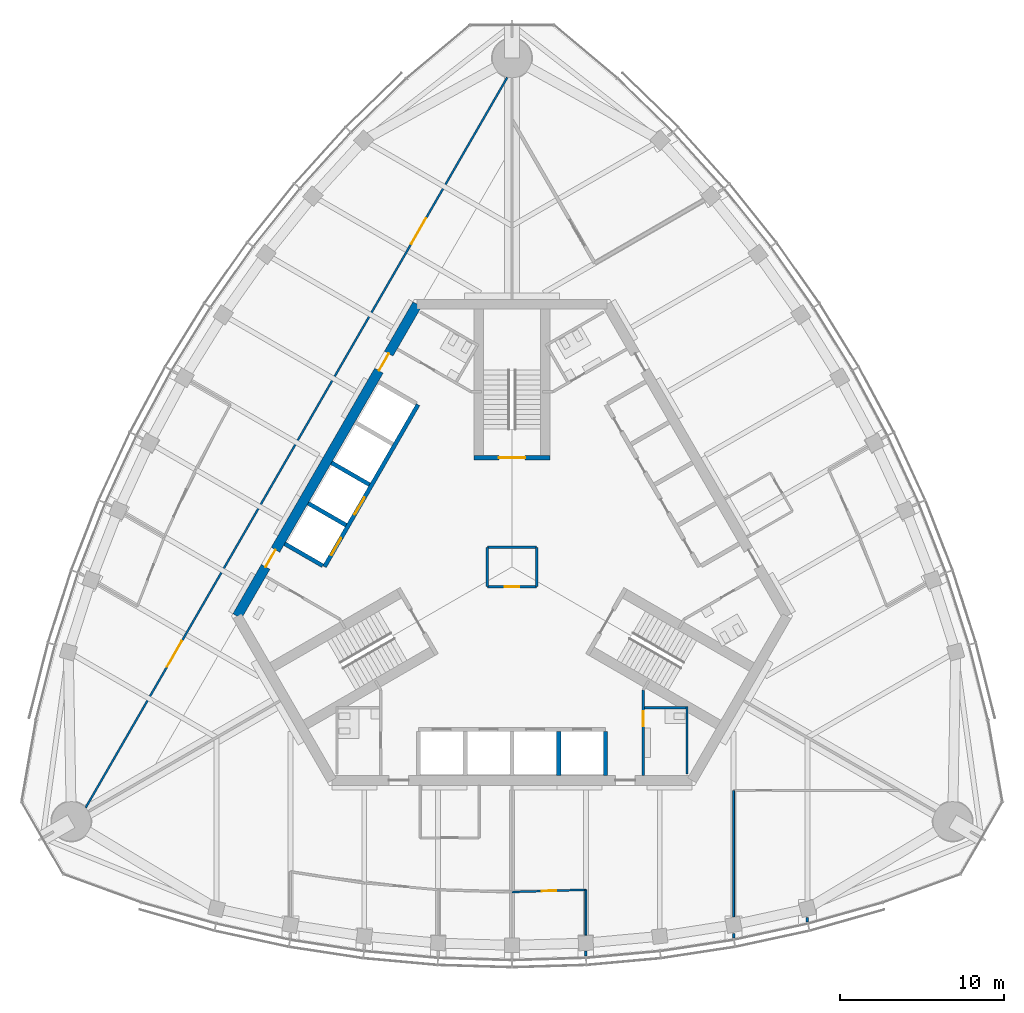
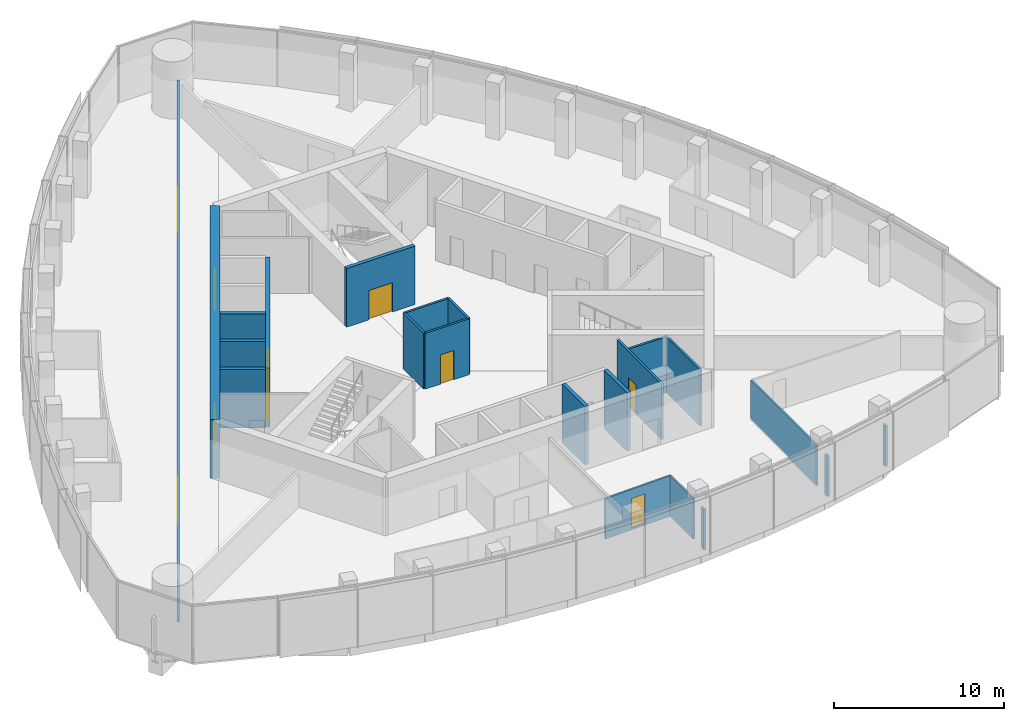
# One storey, part 9 of 16: 22 walls, 10 doors, 10 openings.
"""IFC4 building model written with IfcOpenShell, lengths in metres."""

from ifc_helpers import new_model, si_unit, direction, frame, frame_2d, origin, place, context, subcontext, project, spatial, rectangle, extrude, material, layer, layer_set, type_object, element, fill, save


model = new_model("IFC4")

# Units and contexts
model_context = context("Model", 3, precision=1e-05, world=origin(), true_north=direction((0.0, 1.0)))
body_context = subcontext(model_context, "Body", "Model", "MODEL_VIEW")
ifc_project = project(units=[si_unit("LENGTHUNIT", "METRE"), si_unit("AREAUNIT", "SQUARE_METRE"), si_unit("VOLUMEUNIT", "CUBIC_METRE"), si_unit("PLANEANGLEUNIT", "RADIAN"), si_unit("MASSUNIT", "GRAM", prefix="KILO")], contexts=[model_context])

# Site, building, storey
site_placement = place(None, origin())
site = spatial("IfcSite", under=ifc_project, at=site_placement, CompositionType="ELEMENT")
building_placement = place(site_placement, origin())
building = spatial("IfcBuilding", under=site, at=building_placement, Name="Trefoil Bronze Tower", CompositionType="ELEMENT")
storey_placement = place(building_placement, frame((0.0, 0.0, 309.89990234375)))
storey = spatial("IfcBuildingStorey", under=building, at=storey_placement, Name="L71", CompositionType="ELEMENT", Elevation=309.89990234375)

# Wall, openings, doors
ifc_material_1 = material(Name="Concrete B80", Category="concrete")
ifc_layer_1 = layer(ifc_material_1, 0.60009765625)
ifc_layer_set_1 = layer_set([ifc_layer_1], Name="Core wall 600")
wall_type_1 = type_object("IfcWallType", Name="Core wall 600", PredefinedType="SHEAR", material=ifc_layer_set_1)
wall_1_placement = place(storey_placement, frame((-5.7734375, 16.0, 0.0), z_axis=(0.0, 0.0, 1.0), x_axis=(-0.500002442456, -0.866023993627, 0.0)))
wall_1 = element("IfcWall", 1, at=wall_1_placement, inside=storey, type_object=wall_type_1, Name="Core long wall 3 L71", PredefinedType="SHEAR", context=body_context, shape_type="SweptSolid", body=[
    extrude(rectangle(XDim=21.939453125, YDim=0.60009765625, at=frame_2d((10.9697265625, 0.0))), origin(), (0.0, 0.0, 1.0), 4.2001953125),
])
opening_1_placement = place(wall_1_placement, frame((17.269775390625, 0.0, 0.0)))
opening_1 = element("IfcOpeningElement", 2, at=opening_1_placement, cuts=wall_1, Name="Opening D2", PredefinedType="OPENING", context=body_context, shape_type="SweptSolid", body=[
    extrude(rectangle(XDim=1.199951171875, YDim=2.10009765625, at=frame_2d((0.60009765625, 1.050048828125))), frame((0.0, 0.31005859375, 0.0), z_axis=(0.0, -1.0, 0.0), x_axis=(1.0, 0.0, 0.0)), (0.0, 0.0, 1.0), 0.6201171875),
])
opening_2_placement = place(wall_1_placement, frame((3.4697265625, 0.0, 0.0)))
opening_2 = element("IfcOpeningElement", 3, at=opening_2_placement, cuts=wall_1, Name="Opening D2", PredefinedType="OPENING", context=body_context, shape_type="SweptSolid", body=[
    extrude(rectangle(XDim=1.199951171875, YDim=2.10009765625, at=frame_2d((0.60009765625, 1.050048828125))), frame((0.0, 0.31005859375, 0.0), z_axis=(0.0, -1.0, 0.0), x_axis=(1.0, 0.0, 0.0)), (0.0, 0.0, 1.0), 0.6201171875),
])
ifc_material_2 = material(Name="Steel door", Category="steel")
door_type_1 = type_object("IfcDoorType", Name="Lobby door 1200", OperationType="SINGLE_SWING_RIGHT", PredefinedType="DOOR", material=ifc_material_2)
door_1_placement = place(opening_1_placement, origin())
door_1 = element("IfcDoor", 4, at=door_1_placement, inside=storey, type_object=door_type_1, Name="Lobby door F3+ L71", OperationType="SINGLE_SWING_RIGHT", OverallHeight=2.10009765625, OverallWidth=1.199951171875, PredefinedType="DOOR", context=body_context, shape_type="SweptSolid", body=[
    extrude(rectangle(XDim=1.199951171875, YDim=2.10009765625, at=frame_2d((0.60009765625, 1.050048828125))), frame((0.0, 0.02490234375, 0.0), z_axis=(0.0, -1.0, 0.0), x_axis=(1.0, 0.0, 0.0)), (0.0, 0.0, 1.0), 0.050048828125),
])
fill(opening_1, door_1)
door_2_placement = place(opening_2_placement, origin())
door_2 = element("IfcDoor", 5, at=door_2_placement, inside=storey, type_object=door_type_1, Name="Lobby door F3- L71", OperationType="SINGLE_SWING_LEFT", OverallHeight=2.10009765625, OverallWidth=1.199951171875, PredefinedType="DOOR", context=body_context, shape_type="SweptSolid", body=[
    extrude(rectangle(XDim=1.199951171875, YDim=2.10009765625, at=frame_2d((0.60009765625, 1.050048828125))), frame((0.0, 0.02490234375, 0.0), z_axis=(0.0, -1.0, 0.0), x_axis=(1.0, 0.0, 0.0)), (0.0, 0.0, 1.0), 0.050048828125),
])
fill(opening_2, door_2)

# Wall, opening, door
ifc_material_3 = material(Name="Glazed partition", Category="glass")
ifc_layer_2 = layer(ifc_material_3, 0.1201171875)
ifc_layer_set_2 = layer_set([ifc_layer_2], Name="Glazed partition 120")
wall_type_2 = type_object("IfcWallType", Name="Glazed partition 120", PredefinedType="PARTITIONING", material=ifc_layer_set_2)
wall_2_placement = place(storey_placement, frame((0.0, -19.801513671875, 0.0), z_axis=(0.0, 0.0, 1.0), x_axis=(0.999542074227, 0.030259574513, 0.0)))
wall_2 = element("IfcWall", 6, at=wall_2_placement, inside=storey, type_object=wall_type_2, Name="Partition F1 L71", PredefinedType="PARTITIONING", context=body_context, shape_type="SweptSolid", body=[
    extrude(rectangle(XDim=4.501953125, YDim=0.1201171875, at=frame_2d((2.2509765625, 0.0))), origin(), (0.0, 0.0, 1.0), 2.900146484375),
])
opening_3_placement = place(wall_2_placement, frame((1.800048828125, 0.0, 0.14990234375)))
opening_3 = element("IfcOpeningElement", 7, at=opening_3_placement, cuts=wall_2, Name="Opening D8", PredefinedType="OPENING", context=body_context, shape_type="SweptSolid", body=[
    extrude(rectangle(XDim=0.89990234375, YDim=2.10009765625, at=frame_2d((0.449951171875, 1.050048828125))), frame((0.0, 0.070068359375, 0.0), z_axis=(0.0, -1.0, 0.0), x_axis=(1.0, 0.0, 0.0)), (0.0, 0.0, 1.0), 0.14013671875),
])
ifc_material_4 = material(Name="Timber door", Category="wood")
door_type_2 = type_object("IfcDoorType", Name="Office door 900", OperationType="SINGLE_SWING_LEFT", PredefinedType="DOOR", material=ifc_material_4)
door_3_placement = place(opening_3_placement, frame((0.89990234375, 0.0, 0.0), z_axis=(0.0, 0.0, 1.0), x_axis=(-1.0, 0.0, 0.0)))
door_3 = element("IfcDoor", 8, at=door_3_placement, inside=storey, type_object=door_type_2, Name="Executive office door F1 L71", OperationType="SINGLE_SWING_RIGHT", OverallHeight=2.10009765625, OverallWidth=0.89990234375, PredefinedType="DOOR", context=body_context, shape_type="SweptSolid", body=[
    extrude(rectangle(XDim=0.89990234375, YDim=2.10009765625, at=frame_2d((0.449951171875, 1.050048828125))), frame((0.0, 0.02490234375, 0.0), z_axis=(0.0, -1.0, 0.0), x_axis=(1.0, 0.0, 0.0)), (0.0, 0.0, 1.0), 0.050048828125),
])
fill(opening_3, door_3)

# Walls
wall_3_placement = place(storey_placement, frame((13.5, -13.6201171875, 0.0), z_axis=(0.0, 0.0, 1.0), x_axis=(0.0, -1.0, 0.0)))
element("IfcWall", 9, at=wall_3_placement, inside=storey, type_object=wall_type_2, Name="Partition F1 L71", PredefinedType="PARTITIONING", context=body_context, shape_type="SweptSolid", body=[
    extrude(rectangle(XDim=7.694580078125, YDim=0.1201171875, at=frame_2d((3.84716796875, 0.0))), origin(), (0.0, 0.0, 1.0), 2.900146484375),
])
wall_4_placement = place(storey_placement, frame((4.5, -19.665283203125, 0.0), z_axis=(0.0, 0.0, 1.0), x_axis=(0.0, -1.0, 0.0)))
element("IfcWall", 10, at=wall_4_placement, inside=storey, type_object=wall_type_2, Name="Partition F1 L71", PredefinedType="PARTITIONING", context=body_context, shape_type="SweptSolid", body=[
    extrude(rectangle(XDim=2.767822265625, YDim=0.1201171875, at=frame_2d((1.3837890625, 0.0))), origin(), (0.0, 0.0, 1.0), 2.900146484375),
])

# Wall, openings, doors
wall_5_placement = place(storey_placement, frame((-0.2900390625, 29.817626953125, 0.0), z_axis=(0.0, 0.0, 1.0), x_axis=(-0.500000361757, -0.866025194924, 0.0)))
wall_5 = element("IfcWall", 11, at=wall_5_placement, inside=storey, type_object=wall_type_2, Name="Partition F3 L71", PredefinedType="PARTITIONING", context=body_context, shape_type="SweptSolid", body=[
    extrude(rectangle(XDim=51.35546875, YDim=0.1201171875, at=frame_2d((25.677734375, 0.0))), origin(), (0.0, 0.0, 1.0), 2.900146484375),
])
opening_4_placement = place(wall_5_placement, frame((9.89990234375, 0.0, 0.14990234375)))
opening_4 = element("IfcOpeningElement", 12, at=opening_4_placement, cuts=wall_5, Name="Opening D10", PredefinedType="OPENING", context=body_context, shape_type="SweptSolid", body=[
    extrude(rectangle(XDim=1.800048828125, YDim=2.10009765625, at=frame_2d((0.89990234375, 1.050048828125))), frame((0.0, 0.070068359375, 0.0), z_axis=(0.0, -1.0, 0.0), x_axis=(1.0, 0.0, 0.0)), (0.0, 0.0, 1.0), 0.14013671875),
])
opening_5_placement = place(wall_5_placement, frame((39.64990234375, 0.0, 0.14990234375)))
opening_5 = element("IfcOpeningElement", 13, at=opening_5_placement, cuts=wall_5, Name="Opening D10", PredefinedType="OPENING", context=body_context, shape_type="SweptSolid", body=[
    extrude(rectangle(XDim=1.800048828125, YDim=2.10009765625, at=frame_2d((0.89990234375, 1.050048828125))), frame((0.0, 0.070068359375, 0.0), z_axis=(0.0, -1.0, 0.0), x_axis=(1.0, 0.0, 0.0)), (0.0, 0.0, 1.0), 0.14013671875),
])
ifc_material_5 = material(Name="Timber door", Category="wood")
door_type_3 = type_object("IfcDoorType", Name="Double door 1800", OperationType="DOUBLE_DOOR_SINGLE_SWING", PredefinedType="DOOR", material=ifc_material_5)
door_4_placement = place(opening_4_placement, frame((1.800048828125, 0.0, 0.0), z_axis=(0.0, 0.0, 1.0), x_axis=(-1.0, 0.0, 0.0)))
door_4 = element("IfcDoor", 14, at=door_4_placement, inside=storey, type_object=door_type_3, Name="Corridor door F3 L71", OperationType="DOUBLE_DOOR_SINGLE_SWING", OverallHeight=2.10009765625, OverallWidth=1.800048828125, PredefinedType="DOOR", context=body_context, shape_type="SweptSolid", body=[
    extrude(rectangle(XDim=1.800048828125, YDim=2.10009765625, at=frame_2d((0.89990234375, 1.050048828125))), frame((0.0, 0.02490234375, 0.0), z_axis=(0.0, -1.0, 0.0), x_axis=(1.0, 0.0, 0.0)), (0.0, 0.0, 1.0), 0.050048828125),
])
fill(opening_4, door_4)
door_5_placement = place(opening_5_placement, frame((1.800048828125, 0.0, 0.0), z_axis=(0.0, 0.0, 1.0), x_axis=(-1.0, 0.0, 0.0)))
door_5 = element("IfcDoor", 15, at=door_5_placement, inside=storey, type_object=door_type_3, Name="Corridor door F3 L71", OperationType="DOUBLE_DOOR_SINGLE_SWING", OverallHeight=2.10009765625, OverallWidth=1.800048828125, PredefinedType="DOOR", context=body_context, shape_type="SweptSolid", body=[
    extrude(rectangle(XDim=1.800048828125, YDim=2.10009765625, at=frame_2d((0.89990234375, 1.050048828125))), frame((0.0, 0.02490234375, 0.0), z_axis=(0.0, -1.0, 0.0), x_axis=(1.0, 0.0, 0.0)), (0.0, 0.0, 1.0), 0.050048828125),
])
fill(opening_5, door_5)

# Wall, opening, door
ifc_material_6 = material(Name="Gypsum board on steel studs", Category="steel")
ifc_layer_3 = layer(ifc_material_6, 0.14990234375)
ifc_layer_set_3 = layer_set([ifc_layer_3], Name="Partition 150")
wall_type_3 = type_object("IfcWallType", Name="Partition 150", PredefinedType="PARTITIONING", material=ifc_layer_set_3)
wall_6_placement = place(storey_placement, frame((8.0, -7.5, 0.0), z_axis=(0.0, 0.0, 1.0), x_axis=(0.0, -1.0, 0.0)))
wall_6 = element("IfcWall", 16, at=wall_6_placement, inside=storey, type_object=wall_type_3, Name="Passage wall F1+ L71", PredefinedType="PARTITIONING", context=body_context, shape_type="SweptSolid", body=[
    extrude(rectangle(XDim=5.199951171875, YDim=0.14990234375, at=frame_2d((2.60009765625, 0.0))), origin(), (0.0, 0.0, 1.0), 4.0),
])
opening_6_placement = place(wall_6_placement, frame((1.300048828125, 0.0, 0.0)))
opening_6 = element("IfcOpeningElement", 17, at=opening_6_placement, cuts=wall_6, Name="Opening D3", PredefinedType="OPENING", context=body_context, shape_type="SweptSolid", body=[
    extrude(rectangle(XDim=0.89990234375, YDim=2.10009765625, at=frame_2d((0.449951171875, 1.050048828125))), frame((0.0, 0.0849609375, 0.0), z_axis=(0.0, -1.0, 0.0), x_axis=(1.0, 0.0, 0.0)), (0.0, 0.0, 1.0), 0.169921875),
])
ifc_material_7 = material(Name="Timber door", Category="wood")
door_type_4 = type_object("IfcDoorType", Name="WC door 900", OperationType="SINGLE_SWING_LEFT", PredefinedType="DOOR", material=ifc_material_7)
door_6_placement = place(opening_6_placement, origin())
door_6 = element("IfcDoor", 18, at=door_6_placement, inside=storey, type_object=door_type_4, Name="WC (men) door L71", OperationType="SINGLE_SWING_LEFT", OverallHeight=2.10009765625, OverallWidth=0.89990234375, PredefinedType="DOOR", context=body_context, shape_type="SweptSolid", body=[
    extrude(rectangle(XDim=0.89990234375, YDim=2.10009765625, at=frame_2d((0.449951171875, 1.050048828125))), frame((0.0, 0.02490234375, 0.0), z_axis=(0.0, -1.0, 0.0), x_axis=(1.0, 0.0, 0.0)), (0.0, 0.0, 1.0), 0.050048828125),
])
fill(opening_6, door_6)

# Walls
wall_7_placement = place(storey_placement, frame((10.659912109375, -8.5, 0.0), z_axis=(0.0, 0.0, 1.0), x_axis=(0.0, -1.0, 0.0)))
element("IfcWall", 19, at=wall_7_placement, inside=storey, type_object=wall_type_3, Name="WC partition WC (men) L71", PredefinedType="PARTITIONING", context=body_context, shape_type="SweptSolid", body=[
    extrude(rectangle(XDim=4.10009765625, YDim=0.14990234375, at=frame_2d((2.050048828125, 0.0))), origin(), (0.0, 0.0, 1.0), 4.0),
])
wall_8_placement = place(storey_placement, frame((8.074951171875, -8.574951171875, 0.0), z_axis=(0.0, 0.0, 1.0), x_axis=(1.0, 0.0, 0.0)))
element("IfcWall", 20, at=wall_8_placement, inside=storey, type_object=wall_type_3, Name="WC partition WC (men) L71", PredefinedType="PARTITIONING", context=body_context, shape_type="SweptSolid", body=[
    extrude(rectangle(XDim=2.510009765625, YDim=0.14990234375, at=frame_2d((1.2548828125, 0.0))), origin(), (0.0, 0.0, 1.0), 4.0),
])
wall_9_placement = place(storey_placement, frame((13.5, -22.3310546875, 0.0), z_axis=(0.0, 0.0, 1.0), x_axis=(0.0, -1.0, 0.0)))
element("IfcWall", 21, at=wall_9_placement, inside=storey, type_object=wall_type_3, Name="Partition F1 L71", PredefinedType="PARTITIONING", context=body_context, shape_type="SweptSolid", body=[
    extrude(rectangle(XDim=0.2802734375, YDim=0.14990234375, at=frame_2d((0.14013671875, 0.0))), origin(), (0.0, 0.0, 1.0), 2.900146484375),
])
wall_10_placement = place(storey_placement, frame((18.0, -21.365966796875, 0.0), z_axis=(0.0, 0.0, 1.0), x_axis=(0.0, -1.0, 0.0)))
element("IfcWall", 22, at=wall_10_placement, inside=storey, type_object=wall_type_3, Name="Partition F1 L71", PredefinedType="PARTITIONING", context=body_context, shape_type="SweptSolid", body=[
    extrude(rectangle(XDim=0.269775390625, YDim=0.14990234375, at=frame_2d((0.134765625, 0.0))), origin(), (0.0, 0.0, 1.0), 2.900146484375),
])
wall_11_placement = place(storey_placement, frame((4.5, -23.394287109375, 0.0), z_axis=(0.0, 0.0, 1.0), x_axis=(0.0, -1.0, 0.0)))
element("IfcWall", 23, at=wall_11_placement, inside=storey, type_object=wall_type_3, Name="Partition F1 L71", PredefinedType="PARTITIONING", context=body_context, shape_type="SweptSolid", body=[
    extrude(rectangle(XDim=0.316162109375, YDim=0.14990234375, at=frame_2d((0.158203125, 0.0))), origin(), (0.0, 0.0, 1.0), 2.900146484375),
])

# Wall, opening, door
ifc_material_8 = material(Name="Gypsum board on steel studs", Category="steel")
ifc_layer_4 = layer(ifc_material_8, 0.14990234375)
ifc_layer_set_4 = layer_set([ifc_layer_4], Name="Riser wall 150")
wall_type_4 = type_object("IfcWallType", Name="Riser wall 150", PredefinedType="PARTITIONING", material=ifc_layer_set_4)
wall_12_placement = place(storey_placement, frame((-1.5, -1.199951171875, 0.0), z_axis=(0.0, 0.0, 1.0), x_axis=(1.0, 0.0, 0.0)))
wall_12 = element("IfcWall", 24, at=wall_12_placement, inside=storey, type_object=wall_type_4, Name="Riser wall L71", PredefinedType="PARTITIONING", context=body_context, shape_type="SweptSolid", body=[
    extrude(rectangle(XDim=3.0, YDim=0.14990234375, at=frame_2d((1.5, 0.0))), origin(), (0.0, 0.0, 1.0), 4.0),
])
opening_7_placement = place(wall_12_placement, frame((1.050048828125, 0.0, 0.0)))
opening_7 = element("IfcOpeningElement", 25, at=opening_7_placement, cuts=wall_12, Name="Opening D4", PredefinedType="OPENING", context=body_context, shape_type="SweptSolid", body=[
    extrude(rectangle(XDim=0.89990234375, YDim=2.10009765625, at=frame_2d((0.449951171875, 1.050048828125))), frame((0.0, 0.0849609375, 0.0), z_axis=(0.0, -1.0, 0.0), x_axis=(1.0, 0.0, 0.0)), (0.0, 0.0, 1.0), 0.169921875),
])
ifc_material_9 = material(Name="Steel door", Category="steel")
door_type_5 = type_object("IfcDoorType", Name="Riser door 900", OperationType="SINGLE_SWING_LEFT", PredefinedType="DOOR", material=ifc_material_9)
door_7_placement = place(opening_7_placement, frame((0.89990234375, 0.0, 0.0), z_axis=(0.0, 0.0, 1.0), x_axis=(-1.0, 0.0, 0.0)))
door_7 = element("IfcDoor", 26, at=door_7_placement, inside=storey, type_object=door_type_5, Name="Riser door L71", OperationType="SINGLE_SWING_LEFT", OverallHeight=2.10009765625, OverallWidth=0.89990234375, PredefinedType="DOOR", context=body_context, shape_type="SweptSolid", body=[
    extrude(rectangle(XDim=0.89990234375, YDim=2.10009765625, at=frame_2d((0.449951171875, 1.050048828125))), frame((0.0, 0.02490234375, 0.0), z_axis=(0.0, -1.0, 0.0), x_axis=(1.0, 0.0, 0.0)), (0.0, 0.0, 1.0), 0.050048828125),
])
fill(opening_7, door_7)

# Walls
wall_13_placement = place(storey_placement, frame((1.5, -1.199951171875, 0.0), z_axis=(0.0, 0.0, 1.0), x_axis=(0.0, 1.0, 0.0)))
element("IfcWall", 27, at=wall_13_placement, inside=storey, type_object=wall_type_4, Name="Riser wall L71", PredefinedType="PARTITIONING", context=body_context, shape_type="SweptSolid", body=[
    extrude(rectangle(XDim=2.39990234375, YDim=0.14990234375, at=frame_2d((1.199951171875, 0.0))), origin(), (0.0, 0.0, 1.0), 4.0),
])
wall_14_placement = place(storey_placement, frame((1.5, 1.199951171875, 0.0), z_axis=(0.0, 0.0, 1.0), x_axis=(-1.0, 0.0, 0.0)))
element("IfcWall", 28, at=wall_14_placement, inside=storey, type_object=wall_type_4, Name="Riser wall L71", PredefinedType="PARTITIONING", context=body_context, shape_type="SweptSolid", body=[
    extrude(rectangle(XDim=3.0, YDim=0.14990234375, at=frame_2d((1.5, 0.0))), origin(), (0.0, 0.0, 1.0), 4.0),
])
wall_15_placement = place(storey_placement, frame((-1.5, 1.199951171875, 0.0), z_axis=(0.0, 0.0, 1.0), x_axis=(0.0, -1.0, 0.0)))
element("IfcWall", 29, at=wall_15_placement, inside=storey, type_object=wall_type_4, Name="Riser wall L71", PredefinedType="PARTITIONING", context=body_context, shape_type="SweptSolid", body=[
    extrude(rectangle(XDim=2.39990234375, YDim=0.14990234375, at=frame_2d((1.199951171875, 0.0))), origin(), (0.0, 0.0, 1.0), 4.0),
])
ifc_material_10 = material(Name="Concrete B80", Category="concrete")
ifc_layer_5 = layer(ifc_material_10, 0.25)
ifc_layer_set_5 = layer_set([ifc_layer_5], Name="Shaft wall 250")
wall_type_5 = type_object("IfcWallType", Name="Shaft wall 250", PredefinedType="SHEAR", material=ifc_layer_set_5)
for number, where, z_axis, x_axis, name in (
    (30, (2.85009765625, -10.02490234375, 0.0), (0.0, 0.0, 1.0), (0.0, -1.0, 0.0), "Lift shaft side wall A3 L71"),
    (31, (5.699951171875, -10.02490234375, 0.0), (0.0, 0.0, 1.0), (0.0, -1.0, 0.0), "Lift shaft side wall A4 L71"),
):
    element("IfcWall", number, at=place(storey_placement, frame(where, z_axis=z_axis, x_axis=x_axis)), inside=storey, type_object=wall_type_5, Name=name, PredefinedType="SHEAR", context=body_context, shape_type="SweptSolid", body=[
        extrude(rectangle(XDim=2.675048828125, YDim=0.25, at=frame_2d((1.33740234375, 0.0))), origin(), (0.0, 0.0, 1.0), 4.2001953125),
    ])

# Wall, openings, doors
wall_16_placement = place(storey_placement, frame((-5.7236328125, 9.88623046875, 0.0), z_axis=(0.0, 0.0, 1.0), x_axis=(-0.500001763848, -0.866024385424, 0.0)))
wall_16 = element("IfcWall", 32, at=wall_16_placement, inside=storey, type_object=wall_type_5, Name="Lift shaft front wall C L71", PredefinedType="SHEAR", context=body_context, shape_type="SweptSolid", body=[
    extrude(rectangle(XDim=11.39990234375, YDim=0.25, at=frame_2d((5.699951171875, 0.0))), origin(), (0.0, 0.0, 1.0), 4.2001953125),
])
opening_8_placement = place(wall_16_placement, frame((6.52490234375, 0.0, 0.0)))
opening_8 = element("IfcOpeningElement", 33, at=opening_8_placement, cuts=wall_16, Name="Opening LD-FL1", PredefinedType="OPENING", context=body_context, shape_type="SweptSolid", body=[
    extrude(rectangle(XDim=1.199951171875, YDim=2.199951171875, at=frame_2d((0.60009765625, 1.10009765625))), frame((0.0, 0.135009765625, 0.0), z_axis=(0.0, -1.0, 0.0), x_axis=(1.0, 0.0, 0.0)), (0.0, 0.0, 1.0), 0.27001953125),
])
opening_9_placement = place(wall_16_placement, frame((9.375, 0.0, 0.0)))
opening_9 = element("IfcOpeningElement", 34, at=opening_9_placement, cuts=wall_16, Name="Opening LD-FL2", PredefinedType="OPENING", context=body_context, shape_type="SweptSolid", body=[
    extrude(rectangle(XDim=1.199951171875, YDim=2.199951171875, at=frame_2d((0.60009765625, 1.10009765625))), frame((0.0, 0.135009765625, 0.0), z_axis=(0.0, -1.0, 0.0), x_axis=(1.0, 0.0, 0.0)), (0.0, 0.0, 1.0), 0.27001953125),
])
ifc_material_11 = material(Name="Steel door", Category="steel")
door_type_6 = type_object("IfcDoorType", Name="Lift landing door 1200", OperationType="DOUBLE_DOOR_SLIDING", PredefinedType="DOOR", material=ifc_material_11)
door_8_placement = place(opening_8_placement, origin())
door_8 = element("IfcDoor", 35, at=door_8_placement, inside=storey, type_object=door_type_6, Name="Lift FL1 landing door L71", OperationType="DOUBLE_DOOR_SLIDING", OverallHeight=2.199951171875, OverallWidth=1.199951171875, PredefinedType="DOOR", context=body_context, shape_type="SweptSolid", body=[
    extrude(rectangle(XDim=1.199951171875, YDim=2.199951171875, at=frame_2d((0.60009765625, 1.10009765625))), frame((0.0, 0.02490234375, 0.0), z_axis=(0.0, -1.0, 0.0), x_axis=(1.0, 0.0, 0.0)), (0.0, 0.0, 1.0), 0.050048828125),
])
fill(opening_8, door_8)
door_9_placement = place(opening_9_placement, origin())
door_9 = element("IfcDoor", 36, at=door_9_placement, inside=storey, type_object=door_type_6, Name="Lift FL2 landing door L71", OperationType="DOUBLE_DOOR_SLIDING", OverallHeight=2.199951171875, OverallWidth=1.199951171875, PredefinedType="DOOR", context=body_context, shape_type="SweptSolid", body=[
    extrude(rectangle(XDim=1.199951171875, YDim=2.199951171875, at=frame_2d((0.60009765625, 1.10009765625))), frame((0.0, 0.02490234375, 0.0), z_axis=(0.0, -1.0, 0.0), x_axis=(1.0, 0.0, 0.0)), (0.0, 0.0, 1.0), 0.050048828125),
])
fill(opening_9, door_9)

# Walls
for number, where, z_axis, x_axis, name in (
    (37, (-8.681884765625, 5.012451171875, 0.0), (0.0, 0.0, 1.0), (-0.866004723184, 0.50003581814, 0.0), "Lift shaft side wall C2 L71"),
    (38, (-10.10693359375, 2.54443359375, 0.0), (0.0, 0.0, 1.0), (-0.86604424267, 0.499967368674, 0.0), "Lift shaft side wall C3 L71"),
    (39, (-11.531982421875, 0.076171875, 0.0), (0.0, 0.0, 1.0), (-0.86604424267, 0.499967368674, 0.0), "Lift shaft side wall C4 L71"),
):
    element("IfcWall", number, at=place(storey_placement, frame(where, z_axis=z_axis, x_axis=x_axis)), inside=storey, type_object=wall_type_5, Name=name, PredefinedType="SHEAR", context=body_context, shape_type="SweptSolid", body=[
        extrude(rectangle(XDim=2.675048828125, YDim=0.25, at=frame_2d((1.33740234375, 0.0))), origin(), (0.0, 0.0, 1.0), 4.2001953125),
    ])

# Wall, opening, door
wall_17_placement = place(storey_placement, frame((2.324951171875, 6.64990234375, 0.0), z_axis=(0.0, 0.0, 1.0), x_axis=(-1.0, 0.0, 0.0)))
wall_17 = element("IfcWall", 40, at=wall_17_placement, inside=storey, type_object=wall_type_5, Name="Stair end wall ST2 L71", PredefinedType="SHEAR", context=body_context, shape_type="SweptSolid", body=[
    extrude(rectangle(XDim=4.64990234375, YDim=0.25, at=frame_2d((2.324951171875, 0.0))), origin(), (0.0, 0.0, 1.0), 4.2001953125),
])
opening_10_placement = place(wall_17_placement, frame((1.52490234375, 0.0, 0.0)))
opening_10 = element("IfcOpeningElement", 41, at=opening_10_placement, cuts=wall_17, Name="Opening D1", PredefinedType="OPENING", context=body_context, shape_type="SweptSolid", body=[
    extrude(rectangle(XDim=1.60009765625, YDim=2.10009765625, at=frame_2d((0.800048828125, 1.050048828125))), frame((0.0, 0.135009765625, 0.0), z_axis=(0.0, -1.0, 0.0), x_axis=(1.0, 0.0, 0.0)), (0.0, 0.0, 1.0), 0.27001953125),
])
ifc_material_12 = material(Name="Steel door", Category="steel")
door_type_7 = type_object("IfcDoorType", Name="Stair door 1600", OperationType="DOUBLE_DOOR_SINGLE_SWING", PredefinedType="DOOR", material=ifc_material_12)
door_10_placement = place(opening_10_placement, frame((1.60009765625, 0.0, 0.0), z_axis=(0.0, 0.0, 1.0), x_axis=(-1.0, 0.0, 0.0)))
door_10 = element("IfcDoor", 42, at=door_10_placement, inside=storey, type_object=door_type_7, Name="Stair door ST2 L71", OperationType="DOUBLE_DOOR_SINGLE_SWING", OverallHeight=2.10009765625, OverallWidth=1.60009765625, PredefinedType="DOOR", context=body_context, shape_type="SweptSolid", body=[
    extrude(rectangle(XDim=1.60009765625, YDim=2.10009765625, at=frame_2d((0.800048828125, 1.050048828125))), frame((0.0, 0.02490234375, 0.0), z_axis=(0.0, -1.0, 0.0), x_axis=(1.0, 0.0, 0.0)), (0.0, 0.0, 1.0), 0.050048828125),
])
fill(opening_10, door_10)

save(model, "model.ifc")
